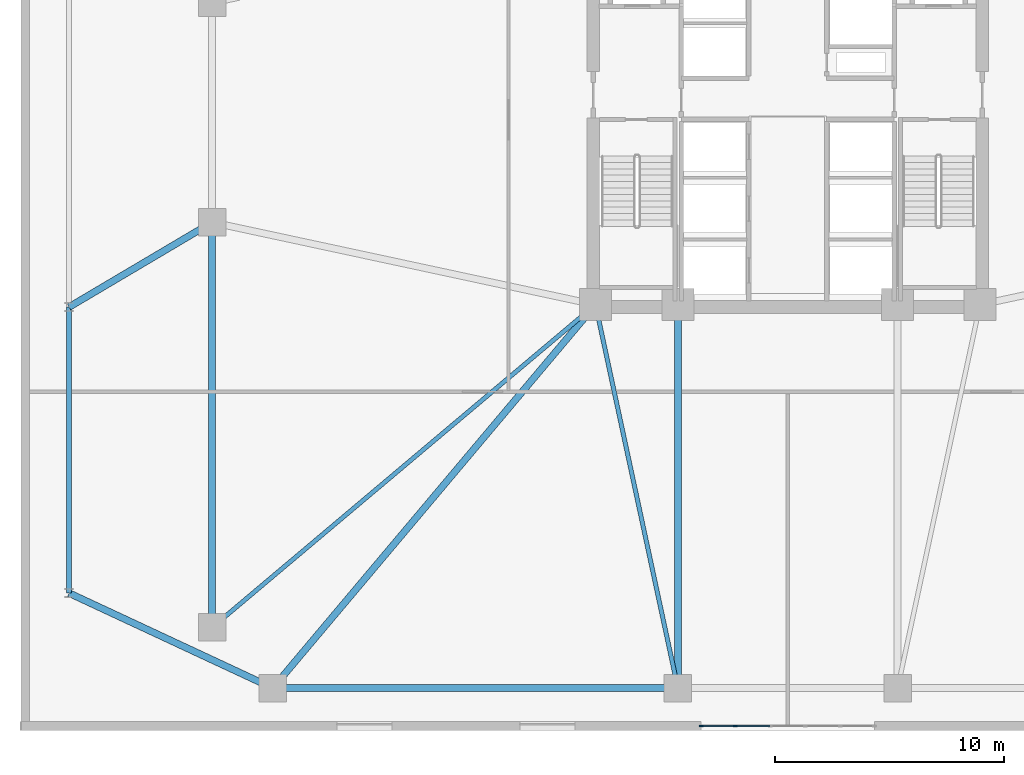
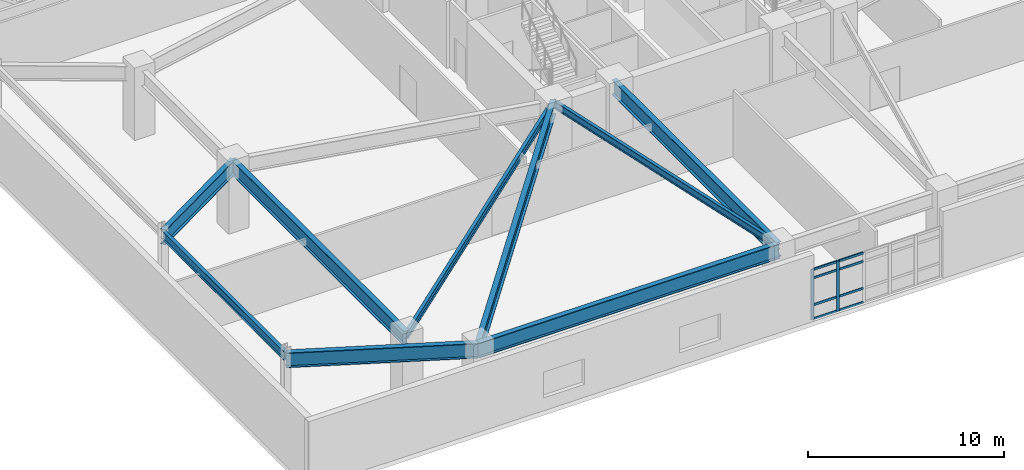
# One storey, part 3 of 21: 10 members, 9 beams, 1 element without a shape of its own.
"""IFC4 building model written with IfcOpenShell, lengths in metres."""

from ifc_helpers import new_model, si_unit, direction, frame, origin, origin_2d, place, context, subcontext, project, spatial, rectangle, i_section, extrude, material, layer, layer_set, material_profile, profile_set, type_object, element, aggregate, save


model = new_model("IFC4")

# Units and contexts
model_context = context("Model", 3, precision=1e-05, world=origin(), true_north=direction((0.0, 1.0)))
body_context = subcontext(model_context, "Body", "Model", "MODEL_VIEW")
ifc_project = project(units=[si_unit("LENGTHUNIT", "METRE"), si_unit("AREAUNIT", "SQUARE_METRE"), si_unit("VOLUMEUNIT", "CUBIC_METRE"), si_unit("PLANEANGLEUNIT", "RADIAN"), si_unit("MASSUNIT", "GRAM", prefix="KILO")], contexts=[model_context])

# Site, building, storey
site_placement = place(None, origin())
site = spatial("IfcSite", under=ifc_project, at=site_placement, CompositionType="ELEMENT")
building_placement = place(site_placement, origin())
building = spatial("IfcBuilding", under=site, at=building_placement, Name="Cairnveth Concourse Tower", CompositionType="ELEMENT")
storey_placement = place(building_placement, frame((0.0, 0.0, 14.5)))
storey = spatial("IfcBuildingStorey", under=building, at=storey_placement, Name="L03", CompositionType="ELEMENT", Elevation=14.5)

# Curtain wall, members
ifc_material_1 = material(Name="Architectural Bronze Anodised Aluminium 6063-T6", Category="aluminium")
ifc_layer = layer(ifc_material_1, 0.340087890625)
ifc_layer_set = layer_set([ifc_layer], Name="Architectural Bronze Anodised Aluminium 6063-T6")
curtain_wall_type = type_object("IfcCurtainWallType", Name="BALLROOM FOYER UNITISED CURTAIN WALL", PredefinedType="USERDEFINED", material=ifc_layer_set)
curtain_wall_placement = place(storey_placement, origin())
curtain_wall = element("IfcCurtainWall", 1, at=curtain_wall_placement, inside=storey, type_object=curtain_wall_type, Name="Curtain Wall CW-L03-S1", ObjectType="UNITISED FACADE", PredefinedType="USERDEFINED")
ifc_material_profile_1 = material_profile(ifc_material_1, rectangle(XDim=0.06494140625, YDim=0.179931640625, at=origin_2d()), Name="AL-MUL-65x180")
ifc_profile_set_1 = profile_set([ifc_material_profile_1], Name="Architectural Bronze Anodised Aluminium 6063-T6")
member_type_1 = type_object("IfcMemberType", Name="BRONZE CURTAIN WALL MULLION AL-MUL-65x180", PredefinedType="MULLION", material=ifc_profile_set_1)
member_1_placement = place(storey_placement, frame((49.7109375, 12.18994140625, 0.0), z_axis=(0.0, 0.0, 1.0), x_axis=(0.0, -1.0, 0.0)))
member_1 = element("IfcMember", 2, at=member_1_placement, type_object=member_type_1, Name="CWS3 mullion 5", PredefinedType="MULLION", context=body_context, shape_type="SweptSolid", body=[
    extrude(rectangle(XDim=0.06494140625, YDim=0.179931640625, at=origin_2d()), origin(), (0.0, 0.0, 1.0), 3.1259765625),
])
member_2_placement = place(storey_placement, frame((48.217529296875, 12.18994140625, 0.0), z_axis=(0.0, 0.0, 1.0), x_axis=(0.0, -1.0, 0.0)))
member_2 = element("IfcMember", 3, at=member_2_placement, type_object=member_type_1, Name="CWS3 mullion 6", PredefinedType="MULLION", context=body_context, shape_type="SweptSolid", body=[
    extrude(rectangle(XDim=0.06494140625, YDim=0.179931640625, at=origin_2d()), origin(), (0.0, 0.0, 1.0), 3.1259765625),
])
ifc_material_profile_2 = material_profile(ifc_material_1, rectangle(XDim=0.06494140625, YDim=0.139892578125, at=origin_2d()), Name="AL-TRN-65x140")
ifc_profile_set_2 = profile_set([ifc_material_profile_2], Name="Architectural Bronze Anodised Aluminium 6063-T6")
member_type_2 = type_object("IfcMemberType", Name="BRONZE CURTAIN WALL TRANSOM AL-TRN-65x140", PredefinedType="USERDEFINED", material=ifc_profile_set_2)
member_3_placement = place(storey_placement, frame((51.20458984375, 12.18994140625, 0.032470703125), z_axis=(-1.0, 0.0, 0.0), x_axis=(0.0, -1.0, 0.0)))
member_3 = element("IfcMember", 4, at=member_3_placement, type_object=member_type_2, Name="CWS3 transom 4.1", ObjectType="TRANSOM", PredefinedType="USERDEFINED", context=body_context, shape_type="SweptSolid", body=[
    extrude(rectangle(XDim=0.06494140625, YDim=0.139892578125, at=origin_2d()), origin(), (0.0, 0.0, 1.0), 1.461181640625),
])
member_4_placement = place(storey_placement, frame((51.20458984375, 12.18994140625, 0.89990234375), z_axis=(-1.0, 0.0, 0.0), x_axis=(0.0, -1.0, 0.0)))
member_4 = element("IfcMember", 5, at=member_4_placement, type_object=member_type_2, Name="CWS3 transom 4.2", ObjectType="TRANSOM", PredefinedType="USERDEFINED", context=body_context, shape_type="SweptSolid", body=[
    extrude(rectangle(XDim=0.06494140625, YDim=0.139892578125, at=origin_2d()), origin(), (0.0, 0.0, 1.0), 1.461181640625),
])
member_5_placement = place(storey_placement, frame((51.20458984375, 12.18994140625, 2.575927734375), z_axis=(-1.0, 0.0, 0.0), x_axis=(0.0, -1.0, 0.0)))
member_5 = element("IfcMember", 6, at=member_5_placement, type_object=member_type_2, Name="CWS3 transom 4.3", ObjectType="TRANSOM", PredefinedType="USERDEFINED", context=body_context, shape_type="SweptSolid", body=[
    extrude(rectangle(XDim=0.06494140625, YDim=0.139892578125, at=origin_2d()), origin(), (0.0, 0.0, 1.0), 1.461181640625),
])
member_6_placement = place(storey_placement, frame((51.20458984375, 12.18994140625, 3.093505859375), z_axis=(-1.0, 0.0, 0.0), x_axis=(0.0, -1.0, 0.0)))
member_6 = element("IfcMember", 7, at=member_6_placement, type_object=member_type_2, Name="CWS3 transom 4.4", ObjectType="TRANSOM", PredefinedType="USERDEFINED", context=body_context, shape_type="SweptSolid", body=[
    extrude(rectangle(XDim=0.06494140625, YDim=0.139892578125, at=origin_2d()), origin(), (0.0, 0.0, 1.0), 1.461181640625),
])
member_7_placement = place(storey_placement, frame((49.678466796875, 12.18994140625, 0.032470703125), z_axis=(-1.0, 0.0, 0.0), x_axis=(0.0, -1.0, 0.0)))
member_7 = element("IfcMember", 8, at=member_7_placement, type_object=member_type_2, Name="CWS3 transom 5.1", ObjectType="TRANSOM", PredefinedType="USERDEFINED", context=body_context, shape_type="SweptSolid", body=[
    extrude(rectangle(XDim=0.06494140625, YDim=0.139892578125, at=origin_2d()), origin(), (0.0, 0.0, 1.0), 1.428466796875),
])
member_8_placement = place(storey_placement, frame((49.678466796875, 12.18994140625, 0.89990234375), z_axis=(-1.0, 0.0, 0.0), x_axis=(0.0, -1.0, 0.0)))
member_8 = element("IfcMember", 9, at=member_8_placement, type_object=member_type_2, Name="CWS3 transom 5.2", ObjectType="TRANSOM", PredefinedType="USERDEFINED", context=body_context, shape_type="SweptSolid", body=[
    extrude(rectangle(XDim=0.06494140625, YDim=0.139892578125, at=origin_2d()), origin(), (0.0, 0.0, 1.0), 1.428466796875),
])
member_9_placement = place(storey_placement, frame((49.678466796875, 12.18994140625, 2.575927734375), z_axis=(-1.0, 0.0, 0.0), x_axis=(0.0, -1.0, 0.0)))
member_9 = element("IfcMember", 10, at=member_9_placement, type_object=member_type_2, Name="CWS3 transom 5.3", ObjectType="TRANSOM", PredefinedType="USERDEFINED", context=body_context, shape_type="SweptSolid", body=[
    extrude(rectangle(XDim=0.06494140625, YDim=0.139892578125, at=origin_2d()), origin(), (0.0, 0.0, 1.0), 1.428466796875),
])
member_10_placement = place(storey_placement, frame((49.678466796875, 12.18994140625, 3.093505859375), z_axis=(-1.0, 0.0, 0.0), x_axis=(0.0, -1.0, 0.0)))
member_10 = element("IfcMember", 11, at=member_10_placement, type_object=member_type_2, Name="CWS3 transom 5.4", ObjectType="TRANSOM", PredefinedType="USERDEFINED", context=body_context, shape_type="SweptSolid", body=[
    extrude(rectangle(XDim=0.06494140625, YDim=0.139892578125, at=origin_2d()), origin(), (0.0, 0.0, 1.0), 1.428466796875),
])
aggregate(curtain_wall, [member_1, member_2, member_3, member_4, member_5, member_6, member_7, member_8, member_9, member_10])

# Beams
ifc_material_2 = material(Name="Steel Grade 350", Category="steel")
ifc_material_profile_3 = material_profile(ifc_material_2, i_section(OverallWidth=0.208984375, OverallDepth=0.532958984375, WebThickness=0.01025390625, FlangeThickness=0.015625, FilletRadius=0.013916015625, at=origin_2d()), Name="530UB92.4")
ifc_profile_set_3 = profile_set([ifc_material_profile_3], Name="Steel Grade 350")
beam_type_1 = type_object("IfcBeamType", Name="PODIUM EDGE SPANDREL 530UB92.4", PredefinedType="SPANDREL", material=ifc_profile_set_3)
beam_1_placement = place(storey_placement, frame((20.60009765625, 18.0, 3.883544921875), z_axis=(0.0, 1.0, 0.0), x_axis=(-1.0, 0.0, 0.0)))
element("IfcBeam", 12, at=beam_1_placement, inside=storey, type_object=beam_type_1, Name="Beam PSP-W1 L03", PredefinedType="SPANDREL", context=body_context, shape_type="SweptSolid", body=[
    extrude(i_section(OverallWidth=0.208984375, OverallDepth=0.532958984375, WebThickness=0.01025390625, FlangeThickness=0.015625, FilletRadius=0.013916015625, at=origin_2d()), origin(), (0.0, 0.0, 1.0), 12.5),
])
ifc_material_profile_4 = material_profile(ifc_material_2, i_section(OverallWidth=0.18994140625, OverallDepth=0.45703125, WebThickness=0.009033203125, FlangeThickness=0.014404296875, FilletRadius=0.010986328125, at=origin_2d()), Name="460UB74.6")
ifc_profile_set_4 = profile_set([ifc_material_profile_4], Name="Steel Grade 350")
beam_type_2 = type_object("IfcBeamType", Name="PODIUM FLOOR JOIST 460UB74.6", PredefinedType="JOIST", material=ifc_profile_set_4)
beam_2_placement = place(storey_placement, frame((26.85009765625, 16.5, 3.92138671875), z_axis=(0.765027427674, 0.643997697905, 0.0), x_axis=(-0.643997697905, 0.765027427674, 0.0)))
element("IfcBeam", 13, at=beam_2_placement, inside=storey, type_object=beam_type_2, Name="Beam PJ-SW1 L03", PredefinedType="JOIST", context=body_context, shape_type="SweptSolid", body=[
    extrude(i_section(OverallWidth=0.18994140625, OverallDepth=0.45703125, WebThickness=0.009033203125, FlangeThickness=0.014404296875, FilletRadius=0.010986328125, at=origin_2d()), origin(), (0.0, 0.0, 1.0), 21.89453125),
])
beam_3_placement = place(storey_placement, frame((43.60009765625, 30.60009765625, 3.92138671875), z_axis=(0.210118799239, -0.977675861524, 0.0), x_axis=(0.977675861524, 0.210118799239, 0.0)))
element("IfcBeam", 14, at=beam_3_placement, inside=storey, type_object=beam_type_2, Name="Beam PJ-S-X L03", PredefinedType="JOIST", context=body_context, shape_type="SweptSolid", body=[
    extrude(i_section(OverallWidth=0.18994140625, OverallDepth=0.45703125, WebThickness=0.009033203125, FlangeThickness=0.014404296875, FilletRadius=0.010986328125, at=origin_2d()), origin(), (0.0, 0.0, 1.0), 17.132568359375),
])
ifc_material_profile_5 = material_profile(ifc_material_2, i_section(OverallWidth=0.300048828125, OverallDepth=0.924072265625, WebThickness=0.013916015625, FlangeThickness=0.031982421875, at=origin_2d()), Name="900WB257")
ifc_profile_set_5 = profile_set([ifc_material_profile_5], Name="Steel Grade 350")
beam_type_3 = type_object("IfcBeamType", Name="PODIUM PRIMARY GIRDER 900WB257", PredefinedType="BEAM", material=ifc_profile_set_5)
beam_4_placement = place(storey_placement, frame((20.60009765625, 18.0, 3.68798828125), z_axis=(0.906315208572, -0.422602345842, 0.0), x_axis=(0.422602345842, 0.906315208572, 0.0)))
element("IfcBeam", 15, at=beam_4_placement, inside=storey, type_object=beam_type_3, Name="Beam PG-W-S L03", PredefinedType="BEAM", context=body_context, shape_type="SweptSolid", body=[
    extrude(i_section(OverallWidth=0.300048828125, OverallDepth=0.924072265625, WebThickness=0.013916015625, FlangeThickness=0.031982421875, at=origin_2d()), origin(), (0.0, 0.0, 1.0), 9.81982421875),
])
beam_5_placement = place(storey_placement, frame((20.60009765625, 30.5, 3.68798828125), z_axis=(0.860518044459, 0.509419959523, 0.0), x_axis=(-0.509419959523, 0.860518044459, 0.0)))
element("IfcBeam", 16, at=beam_5_placement, inside=storey, type_object=beam_type_3, Name="Beam PG-W1 L03", PredefinedType="BEAM", context=body_context, shape_type="SweptSolid", body=[
    extrude(i_section(OverallWidth=0.300048828125, OverallDepth=0.924072265625, WebThickness=0.013916015625, FlangeThickness=0.031982421875, at=origin_2d()), origin(), (0.0, 0.0, 1.0), 7.26318359375),
])
beam_6_placement = place(storey_placement, frame((47.199951171875, 13.85009765625, 3.68798828125), z_axis=(0.0, 1.0, 0.0), x_axis=(-1.0, 0.0, 0.0)))
element("IfcBeam", 17, at=beam_6_placement, inside=storey, type_object=beam_type_3, Name="Beam PG-S1 L03", PredefinedType="BEAM", context=body_context, shape_type="SweptSolid", body=[
    extrude(i_section(OverallWidth=0.300048828125, OverallDepth=0.924072265625, WebThickness=0.013916015625, FlangeThickness=0.031982421875, at=origin_2d()), origin(), (0.0, 0.0, 1.0), 16.75),
])
beam_7_placement = place(storey_placement, frame((29.5, 13.85009765625, 3.68798828125), z_axis=(0.643997697905, 0.765027427674, 0.0), x_axis=(-0.765027427674, 0.643997697905, 0.0)))
element("IfcBeam", 18, at=beam_7_placement, inside=storey, type_object=beam_type_3, Name="Beam PG-CSW L03", PredefinedType="BEAM", context=body_context, shape_type="SweptSolid", body=[
    extrude(i_section(OverallWidth=0.300048828125, OverallDepth=0.924072265625, WebThickness=0.013916015625, FlangeThickness=0.031982421875, at=origin_2d()), origin(), (0.0, 0.0, 1.0), 21.89453125),
])
for number, where, z_axis, x_axis, name in (
    (19, (29.5, 13.85009765625, 3.68798828125), (1.0, 0.0, 0.0), (0.0, 1.0, 0.0), "Beam PR-S1 L03"),
    (20, (26.85009765625, 16.5, 3.68798828125), (0.0, 1.0, 0.0), (-1.0, 0.0, 0.0), "Beam PR-W1 L03"),
):
    element("IfcBeam", number, at=place(storey_placement, frame(where, z_axis=z_axis, x_axis=x_axis)), inside=storey, type_object=beam_type_3, Name=name, PredefinedType="BEAM", context=body_context, shape_type="SweptSolid", body=[
        extrude(i_section(OverallWidth=0.300048828125, OverallDepth=0.924072265625, WebThickness=0.013916015625, FlangeThickness=0.031982421875, at=origin_2d()), origin(), (0.0, 0.0, 1.0), 17.699951171875),
    ])

save(model, "model.ifc")
